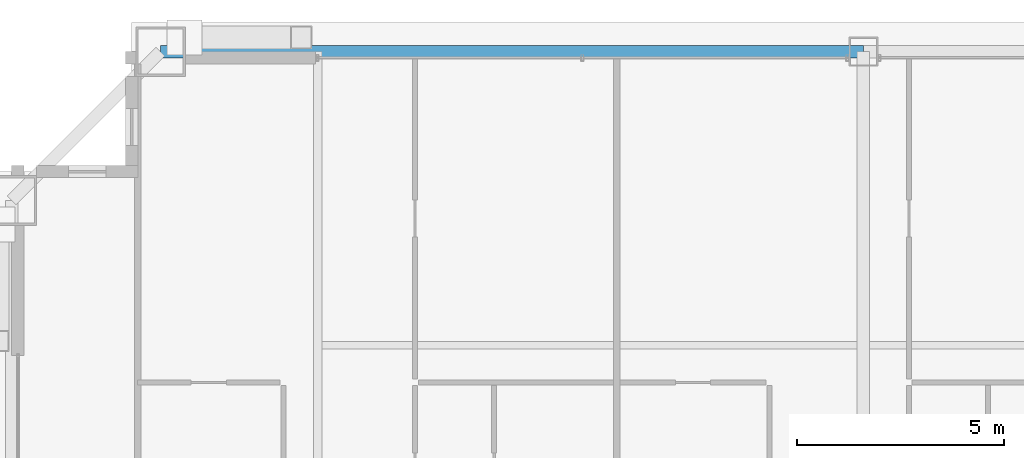
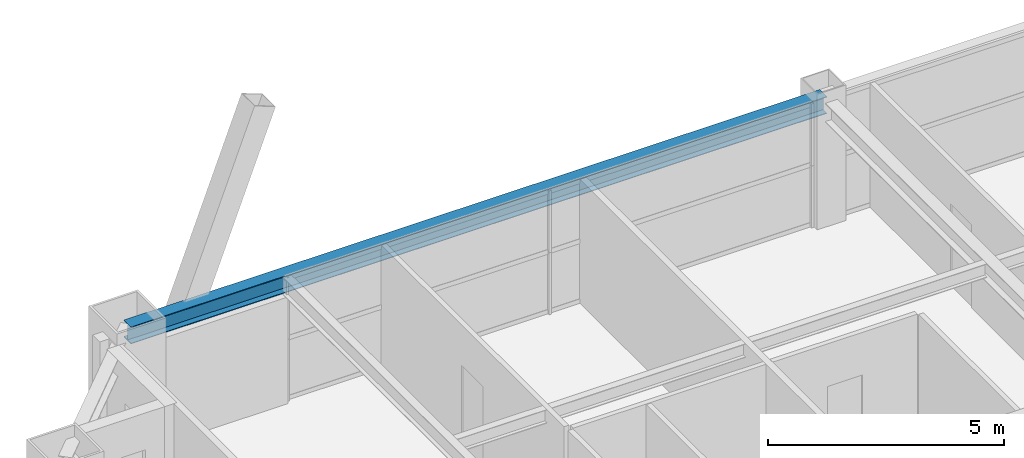
# One storey, part 24 of 36: 1 beam.
"""IFC4 building model written with IfcOpenShell, lengths in metres."""

import ifcopenshell
import ifcopenshell.guid

model = None  # the IFC model being written
_history = None  # IfcOwnerHistory: only IFC2X3 demands one
_inside = {}  # id of a spatial element -> (the spatial element, [elements in it])
_under = {}  # id of a project, library or spatial element -> (it, [spatial elements below it])
_declared = {}  # id of a project -> (the project, [libraries it declares])
_typed = {}  # id of a type object -> (the type object, [elements of that type])
_made_of = {}  # id of a material, layer set ... -> (it, [elements and type objects made of it])


def new_model(schema):
    """Start an empty IFC model of exactly this schema.

    Asked for "IFC4X3", IfcOpenShell would pick the latest addendum, in which some entities
    have other attributes; the version numbers below select the first issue.
    IFC2X3 requires an IfcOwnerHistory on every rooted entity: one is made here for all.
    """
    global model, _history
    if schema == "IFC4X3":
        model = ifcopenshell.file(schema_version=(4, 3, 0, 0))
    else:
        model = ifcopenshell.file(schema=schema)
    _inside.clear()
    _under.clear()
    _declared.clear()
    _typed.clear()
    _made_of.clear()
    _history = None
    if model.schema == "IFC2X3":
        org = make("IfcOrganization", Name="unknown")
        user = make(
            "IfcPersonAndOrganization",
            ThePerson=make("IfcPerson", FamilyName="unknown"),
            TheOrganization=org,
        )
        app = make(
            "IfcApplication",
            ApplicationDeveloper=org,
            Version="unknown",
            ApplicationFullName="unknown",
            ApplicationIdentifier="unknown",
        )
        _history = make(
            "IfcOwnerHistory",
            OwningUser=user,
            OwningApplication=app,
            ChangeAction="ADDED",
            CreationDate=0,
        )
    return model


def make(cls, **values):
    """One entity of the class cls with the attributes given. An attribute that is None is left unset."""
    return model.create_entity(
        cls, **{name: value for name, value in values.items() if value is not None}
    )


def rooted(cls, **values):
    """An entity with a GlobalId (a new one), such as an element, a storey or a relation."""
    return make(cls, GlobalId=ifcopenshell.guid.new(), OwnerHistory=_history, **values)


def si_unit(unit_type, name, prefix=None):
    """IfcSIUnit, for example si_unit("LENGTHUNIT", "METRE", prefix="MILLI")."""
    return make("IfcSIUnit", UnitType=unit_type, Prefix=prefix, Name=name)


def assignment(units):
    """IfcUnitAssignment: the units of a project."""
    return None if units is None else make("IfcUnitAssignment", Units=units)


def point(xyz):
    """IfcCartesianPoint."""
    return None if xyz is None else make("IfcCartesianPoint", Coordinates=xyz)


def direction(xyz):
    """IfcDirection."""
    return None if xyz is None else make("IfcDirection", DirectionRatios=xyz)


def frame(location, z_axis=None, x_axis=None):
    """IfcAxis2Placement3D, a coordinate frame: its origin and axes. An axis left out is left unset."""
    return make(
        "IfcAxis2Placement3D",
        Location=point(location),
        Axis=direction(z_axis),
        RefDirection=direction(x_axis),
    )


def frame_2d(location, x_axis=None):
    """IfcAxis2Placement2D, a coordinate frame in the plane: its origin and x axis."""
    return make(
        "IfcAxis2Placement2D", Location=point(location), RefDirection=direction(x_axis)
    )


def origin():
    """The frame at (0, 0, 0) with its axes left unset."""
    return frame((0.0, 0.0, 0.0))


def origin_2d():
    """The frame at (0, 0) in the plane with its x axis left unset."""
    return frame_2d((0.0, 0.0))


def place(relative_to, where):
    """IfcLocalPlacement: puts the frame where relative to a parent placement (None: the world)."""
    return make(
        "IfcLocalPlacement", PlacementRelTo=relative_to, RelativePlacement=where
    )


def context(
    kind, dimensions, precision=None, world=None, true_north=None, identifier=None
):
    """IfcGeometricRepresentationContext, for example the 3D "Model" context."""
    return make(
        "IfcGeometricRepresentationContext",
        ContextIdentifier=identifier,
        ContextType=kind,
        CoordinateSpaceDimension=dimensions,
        Precision=precision,
        WorldCoordinateSystem=world,
        TrueNorth=true_north,
    )


def subcontext(parent, identifier, kind, view, scale=None):
    """IfcGeometricRepresentationSubContext, for example "Body" below "Model"."""
    return make(
        "IfcGeometricRepresentationSubContext",
        ContextIdentifier=identifier,
        ContextType=kind,
        ParentContext=parent,
        TargetScale=scale,
        TargetView=view,
    )


def project(units=None, contexts=None):
    """IfcProject with its units and contexts."""
    return rooted(
        "IfcProject",
        Name="project",
        RepresentationContexts=contexts,
        UnitsInContext=assignment(units),
    )


def spatial(cls, under=None, at=None, **own):
    """A site, building, storey or space (cls), placed at a placement, below another one or the project."""
    s = rooted(cls, ObjectPlacement=at, **own)
    if under is not None:
        _under.setdefault(under.id(), (under, []))[1].append(s)
    return s


def profile(cls, at=None, kind="AREA", **sizes):
    """A parametric profile (cls). Its sizes go by their IFC names, for example OverallWidth=200.0."""
    return make(cls, ProfileType=kind, Position=at, **sizes)


def i_section(**sizes):
    """IfcIShapeProfileDef."""
    return profile("IfcIShapeProfileDef", **sizes)


def extrude(swept, where, along, depth):
    """IfcExtrudedAreaSolid: the profile swept, set in the frame where, extruded along a direction by depth."""
    return make(
        "IfcExtrudedAreaSolid",
        SweptArea=swept,
        Position=where,
        ExtrudedDirection=direction(along),
        Depth=depth,
    )


def shape(context_of_items, identifier, shape_type, items):
    """IfcShapeRepresentation: the items that make up one representation, for example the "Body"."""
    return make(
        "IfcShapeRepresentation",
        ContextOfItems=context_of_items,
        RepresentationIdentifier=identifier,
        RepresentationType=shape_type,
        Items=items,
    )


def source(mapping_origin, context_of_items, identifier, shape_type, items):
    """IfcRepresentationMap: a shape defined once, which mapped items show again and again."""
    return make(
        "IfcRepresentationMap",
        MappingOrigin=mapping_origin,
        MappedRepresentation=shape(context_of_items, identifier, shape_type, items),
    )


def transform(
    local_origin,
    x_axis=None,
    y_axis=None,
    z_axis=None,
    scale=None,
    scale2=None,
    scale3=None,
    uniform=True,
):
    """IfcCartesianTransformationOperator3D, or its non-uniform kind. x_axis, y_axis, z_axis: its Axis1, 2, 3."""
    if uniform:
        return make(
            "IfcCartesianTransformationOperator3D",
            Axis1=direction(x_axis),
            Axis2=direction(y_axis),
            LocalOrigin=point(local_origin),
            Scale=scale,
            Axis3=direction(z_axis),
        )
    return make(
        "IfcCartesianTransformationOperator3DnonUniform",
        Axis1=direction(x_axis),
        Axis2=direction(y_axis),
        LocalOrigin=point(local_origin),
        Scale=scale,
        Axis3=direction(z_axis),
        Scale2=scale2,
        Scale3=scale3,
    )


def mapped(mapping_source, mapping_target):
    """IfcMappedItem: shows the shape of a source again, moved by a transform."""
    return make(
        "IfcMappedItem", MappingSource=mapping_source, MappingTarget=mapping_target
    )


def material(Name=None, Category=None):
    """IfcMaterial."""
    return make("IfcMaterial", Name=Name, Category=Category)


def material_profile(
    of_material, cross_section, Name=None, Category=None, Priority=None
):
    """IfcMaterialProfile: a cross section and its material."""
    return make(
        "IfcMaterialProfile",
        Name=Name,
        Material=of_material,
        Profile=cross_section,
        Priority=Priority,
        Category=Category,
    )


def profile_set(profiles, Name=None, composite=None):
    """IfcMaterialProfileSet."""
    return make(
        "IfcMaterialProfileSet",
        Name=Name,
        MaterialProfiles=profiles,
        CompositeProfile=composite,
    )


def made_of(thing, what):
    """Note that an element or type object is made of a material, layer set ...; save() writes the relation."""
    if what is not None:
        _made_of.setdefault(what.id(), (what, []))[1].append(thing)
    return thing


def type_object(cls, material=None, **own):
    """A type object (cls), such as IfcWallType, which elements share."""
    return made_of(rooted(cls, **own), material)


def element(
    cls,
    number,
    at=None,
    inside=None,
    cuts=None,
    type_object=None,
    material=None,
    context=None,
    identifier="Body",
    shape_type=None,
    held_by="IfcProductDefinitionShape",
    body=None,
    shapes=None,
    **own,
):
    """One element of the class cls, such as IfcWall. Its Tag is "e" and its number.

    at: its placement. inside: the storey or other place that contains it. cuts: it is an
    opening in that element (IfcRelVoidsElement). A single representation is given by context,
    identifier, shape_type and body (its items); several are given by shapes. held_by: the class
    of the entity that holds the representations. save() writes the other relations.
    """
    e = rooted(cls, Tag="e%d" % number, ObjectPlacement=at, **own)
    if body is not None:
        shapes = [shape(context, identifier, shape_type, body)]
    if shapes is not None:
        e.Representation = make(held_by, Representations=shapes)
    if inside is not None:
        _inside.setdefault(inside.id(), (inside, []))[1].append(e)
    if cuts is not None:
        rooted(
            "IfcRelVoidsElement", RelatingBuildingElement=cuts, RelatedOpeningElement=e
        )
    if type_object is not None:
        _typed.setdefault(type_object.id(), (type_object, []))[1].append(e)
    return made_of(e, material)


def aggregate(whole, parts):
    """IfcRelAggregates: a whole, such as a stair, and the parts it consists of."""
    return rooted("IfcRelAggregates", RelatingObject=whole, RelatedObjects=parts)


def save(model, path):
    """Write the relations noted so far, then the file.

    IfcRelAggregates (storeys below a building ...), IfcRelContainedInSpatialStructure (elements
    in a storey), IfcRelDefinesByType, IfcRelAssociatesMaterial and IfcRelDeclares: one each for
    every whole, place, type object, material and project.
    """
    for whole, parts in _under.values():
        aggregate(whole, parts)
    for where, things in _inside.values():
        rooted(
            "IfcRelContainedInSpatialStructure",
            RelatedElements=things,
            RelatingStructure=where,
        )
    for kind, things in _typed.values():
        rooted("IfcRelDefinesByType", RelatedObjects=things, RelatingType=kind)
    for what, things in _made_of.values():
        rooted("IfcRelAssociatesMaterial", RelatedObjects=things, RelatingMaterial=what)
    for by, libraries in _declared.values():
        rooted("IfcRelDeclares", RelatingContext=by, RelatedDefinitions=libraries)
    model.write(path)


model = new_model("IFC4")

# Units and contexts
model_context = context("Model", 3, precision=1e-05, world=origin(), true_north=direction((0.0, 1.0)))
body_context = subcontext(model_context, "Body", "Model", "MODEL_VIEW")
ifc_project = project(units=[si_unit("LENGTHUNIT", "METRE"), si_unit("AREAUNIT", "SQUARE_METRE"), si_unit("VOLUMEUNIT", "CUBIC_METRE"), si_unit("PLANEANGLEUNIT", "RADIAN"), si_unit("MASSUNIT", "GRAM", prefix="KILO"), si_unit("THERMODYNAMICTEMPERATUREUNIT", "KELVIN"), si_unit("POWERUNIT", "WATT")], contexts=[model_context])

# Site, building, storey
site_placement = place(None, origin())
site = spatial("IfcSite", under=ifc_project, at=site_placement, CompositionType="ELEMENT")
building_placement = place(site_placement, origin())
building = spatial("IfcBuilding", under=site, at=building_placement, Name="Yuzanri Waterfront Tower", CompositionType="ELEMENT")
storey_placement = place(building_placement, frame((0.0, 0.0, 255.60009765625)))
storey = spatial("IfcBuildingStorey", under=building, at=storey_placement, Name="L68", CompositionType="ELEMENT", Elevation=255.60009765625)

# Beam
ifc_material = material(Name="Steel Q355B", Category="steel")
ifc_material_profile = material_profile(ifc_material, i_section(OverallWidth=0.300048828125, OverallDepth=0.43994140625, WebThickness=0.010986328125, FlangeThickness=0.01806640625, at=origin_2d()), Name="HM 440x300x11x18")
ifc_profile_set = profile_set([ifc_material_profile], Name="Steel Q355B")
beam_type = type_object("IfcBeamType", Name="Perimeter Spandrel Q355B HM 440x300", PredefinedType="SPANDREL", material=ifc_profile_set)
shared_shape = source(origin(), body_context, "Body", "SweptSolid", [
    extrude(i_section(OverallWidth=0.300048828125, OverallDepth=0.43994140625, WebThickness=0.010986328125, FlangeThickness=0.01806640625, at=origin_2d()), origin(), (0.0, 0.0, 1.0), 17.0),
])
beam_placement = place(storey_placement, frame((37.0, 46.39990234375, 2.97998046875), z_axis=(-1.0, 0.0, 0.0), x_axis=(0.0, -1.0, 0.0)))
element("IfcBeam", 1, at=beam_placement, inside=storey, type_object=beam_type, Name="L68 Perimeter Spandrel N2-N1", PredefinedType="SPANDREL", context=body_context, shape_type="MappedRepresentation", body=[
    mapped(shared_shape, transform((0.0, 0.0, 0.0), scale=1.0)),
])

save(model, "model.ifc")
